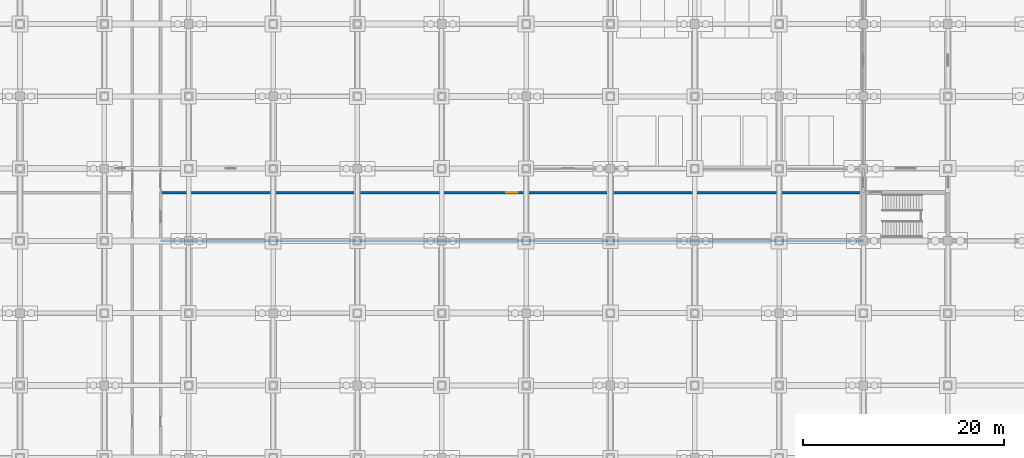
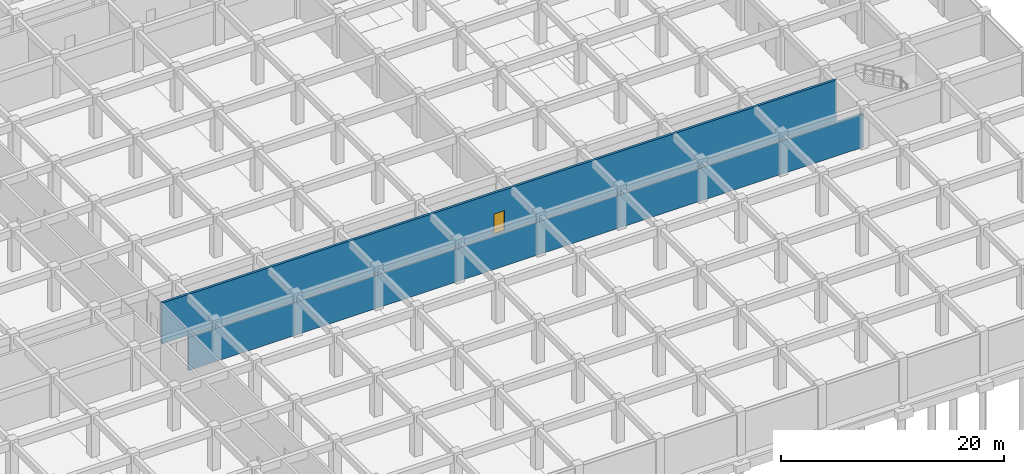
# One storey, part 30 of 85: 2 walls, 1 door, 1 opening.
"""IFC4 building model written with IfcOpenShell, lengths in metres."""

from ifc_helpers import new_model, si_unit, direction, frame, frame_2d, origin, place, context, subcontext, project, spatial, rectangle, extrude, material, layer, layer_set, type_object, element, fill, save


model = new_model("IFC4")

# Units and contexts
model_context = context("Model", 3, precision=1e-05, world=origin(), true_north=direction((0.0, 1.0)))
body_context = subcontext(model_context, "Body", "Model", "MODEL_VIEW")
ifc_project = project(units=[si_unit("LENGTHUNIT", "METRE"), si_unit("AREAUNIT", "SQUARE_METRE"), si_unit("VOLUMEUNIT", "CUBIC_METRE"), si_unit("PLANEANGLEUNIT", "RADIAN"), si_unit("MASSUNIT", "GRAM", prefix="KILO")], contexts=[model_context])

# Site, building, storey
site_placement = place(None, origin())
site = spatial("IfcSite", under=ifc_project, at=site_placement, CompositionType="ELEMENT")
building_placement = place(site_placement, origin())
building = spatial("IfcBuilding", under=site, at=building_placement, Name="Chengyuan Square Courthouse", CompositionType="ELEMENT")
storey_placement = place(building_placement, frame((0.0, 0.0, -10.199951171875)))
storey = spatial("IfcBuildingStorey", under=building, at=storey_placement, Name="B02", CompositionType="ELEMENT", Elevation=-10.199951171875)

# Wall
ifc_material_1 = material(Name="Concrete C40", Category="concrete")
ifc_layer = layer(ifc_material_1, 0.25)
ifc_layer_set = layer_set([ifc_layer], Name="Concrete C40")
wall_type = type_object("IfcWallType", Name="WL-FW1", PredefinedType="STANDARD", material=ifc_layer_set)
wall_1_placement = place(storey_placement, frame((81.199951171875, 36.0, 0.0), z_axis=(0.0, 0.0, 1.0), x_axis=(1.0, 0.0, 0.0)))
element("IfcWall", 1, at=wall_1_placement, inside=storey, type_object=wall_type, Name="Interior Wall WL-B02-I004", PredefinedType="STANDARD", context=body_context, shape_type="SweptSolid", body=[
    extrude(rectangle(XDim=70.0, YDim=0.25, at=frame_2d((35.0, 0.0))), origin(), (0.0, 0.0, 1.0), 3.6298828125),
])

# Wall, opening, door
wall_2_placement = place(storey_placement, frame((81.199951171875, 40.800048828125, 0.0), z_axis=(0.0, 0.0, 1.0), x_axis=(1.0, 0.0, 0.0)))
wall_2 = element("IfcWall", 2, at=wall_2_placement, inside=storey, type_object=wall_type, Name="Interior Wall WL-B02-I009", PredefinedType="STANDARD", context=body_context, shape_type="SweptSolid", body=[
    extrude(rectangle(XDim=70.0, YDim=0.25, at=frame_2d((35.0, 0.0))), origin(), (0.0, 0.0, 1.0), 4.47998046875),
])
opening_placement = place(wall_2_placement, frame((34.449951171875, 0.0, 0.0)))
opening = element("IfcOpeningElement", 3, at=opening_placement, cuts=wall_2, Name="Opening DR-328", PredefinedType="OPENING", context=body_context, shape_type="SweptSolid", body=[
    extrude(rectangle(XDim=1.10009765625, YDim=2.199951171875, at=frame_2d((0.550048828125, 1.10009765625))), frame((0.0, 0.136962890625, 0.0), z_axis=(0.0, -1.0, 0.0), x_axis=(1.0, 0.0, 0.0)), (0.0, 0.0, 1.0), 0.27392578125),
])
ifc_material_2 = material(Name="Steel Q235B Fire Door", Category="steel")
door_type = type_object("IfcDoorType", Name="DT-10", OperationType="NOTDEFINED", PredefinedType="DOOR", material=ifc_material_2)
door_placement = place(opening_placement, origin())
door = element("IfcDoor", 4, at=door_placement, inside=storey, type_object=door_type, Name="Interior Door DR-328", OperationType="SINGLE_SWING_LEFT", OverallHeight=2.199951171875, OverallWidth=1.10009765625, PredefinedType="DOOR", context=body_context, shape_type="SweptSolid", body=[
    extrude(rectangle(XDim=1.10009765625, YDim=2.199951171875, at=frame_2d((0.550048828125, 1.10009765625))), frame((0.0, 0.02490234375, 0.0), z_axis=(0.0, -1.0, 0.0), x_axis=(1.0, 0.0, 0.0)), (0.0, 0.0, 1.0), 0.050048828125),
])
fill(opening, door)

save(model, "model.ifc")
